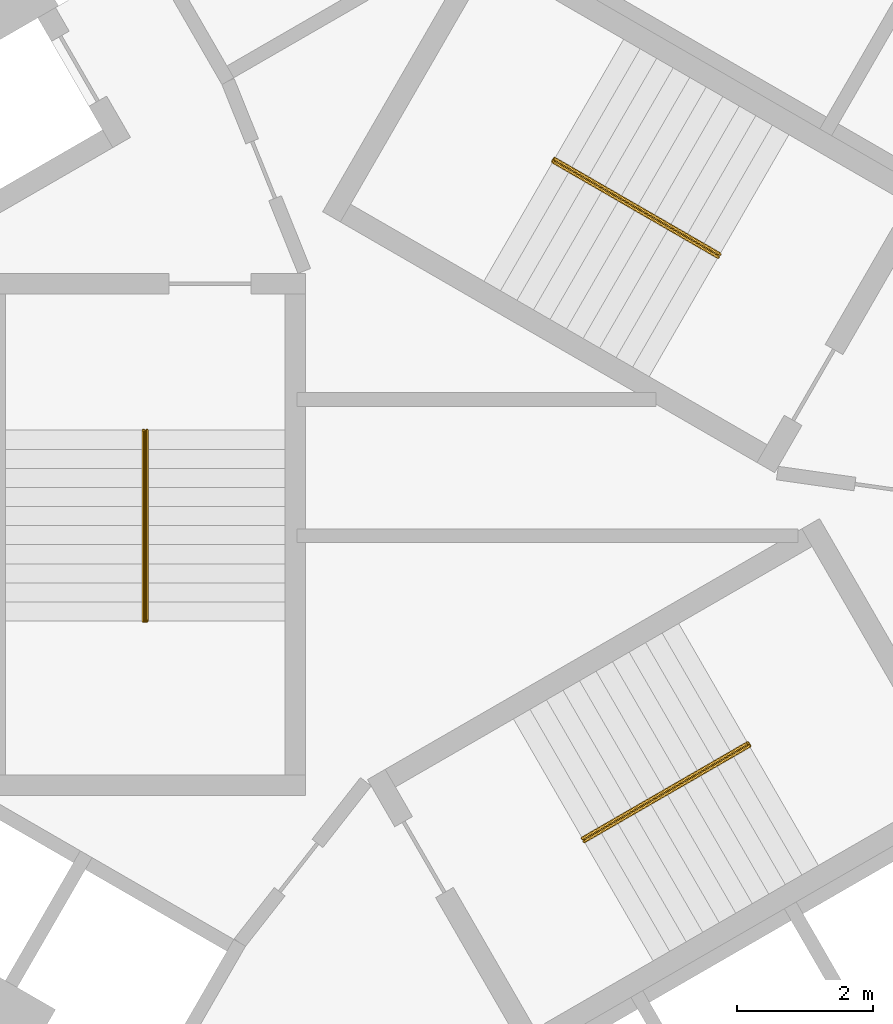
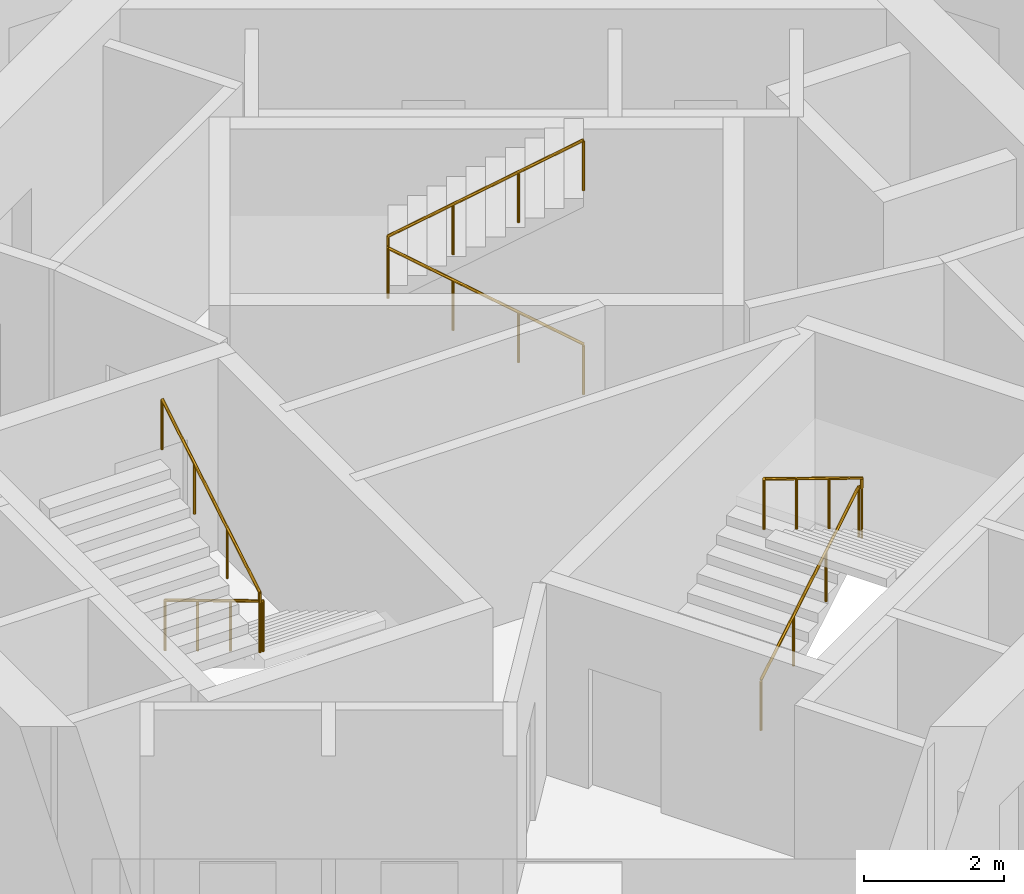
# One storey, part 11 of 11: 3 railings.
"""IFC4 building model written with IfcOpenShell, lengths in metres."""

from ifc_helpers import new_model, si_unit, direction, frame, origin, origin_2d, place, context, subcontext, project, spatial, circle, extrude, material, type_object, element, save


model = new_model("IFC4")

# Units and contexts
model_context = context("Model", 3, precision=1e-05, world=origin(), true_north=direction((0.0, 1.0)))
body_context = subcontext(model_context, "Body", "Model", "MODEL_VIEW")
ifc_project = project(units=[si_unit("LENGTHUNIT", "METRE"), si_unit("AREAUNIT", "SQUARE_METRE"), si_unit("VOLUMEUNIT", "CUBIC_METRE"), si_unit("PLANEANGLEUNIT", "RADIAN"), si_unit("MASSUNIT", "GRAM", prefix="KILO")], contexts=[model_context])

# Site, building, storey
site_placement = place(None, origin())
site = spatial("IfcSite", under=ifc_project, at=site_placement, CompositionType="ELEMENT")
building_placement = place(site_placement, origin())
building = spatial("IfcBuilding", under=site, at=building_placement, Name="Vanh Sen Convention Tower", CompositionType="ELEMENT")
storey_placement = place(building_placement, frame((0.0, 0.0, 296.800048828125)))
storey = spatial("IfcBuildingStorey", under=building, at=storey_placement, Name="L73", CompositionType="ELEMENT", Elevation=296.800048828125)

# Railings
ifc_material = material(Name="Stainless steel handrail", Category="steel")
railing_type = type_object("IfcRailingType", Name="Stair handrail 900", PredefinedType="HANDRAIL", material=ifc_material)
railing_1_placement = place(storey_placement, frame((3.45849609375, 3.690185546875, 0.168212890625)))
element("IfcRailing", 1, at=railing_1_placement, inside=storey, type_object=railing_type, Name="Stair handrail ST1 L73", PredefinedType="HANDRAIL", context=body_context, shape_type="SweptSolid", body=[
    extrude(circle(Radius=0.02392578125, at=origin_2d()), frame((0.0, 0.0, 0.8759765625), z_axis=(-0.74241905619, 0.428617687091, 0.514879426), x_axis=(-0.49998411664, -0.866034573852, 0.0)), (0.0, 0.0, 1.0), 3.26611328125),
    extrude(circle(Radius=0.02392578125, at=origin_2d()), frame((-2.4248046875, 1.39990234375, 2.5576171875), z_axis=(0.497188445666, 0.867642581652, 0.0), x_axis=(-0.867642581652, 0.497188445666, 0.0)), (0.0, 0.0, 1.0), 0.050048828125),
    extrude(circle(Radius=0.02392578125, at=origin_2d()), frame((-2.39990234375, 1.443359375, 2.5576171875), z_axis=(0.0, 0.0, 1.0), x_axis=(1.0, 0.0, 0.0)), (0.0, 0.0, 1.0), 0.168212890625),
    extrude(circle(Radius=0.02392578125, at=origin_2d()), frame((-2.39990234375, 1.443359375, 2.7255859375), z_axis=(0.742366697286, -0.42866220388, 0.514917859203), x_axis=(0.500049511043, 0.865996816683, 0.0)), (0.0, 0.0, 1.0), 3.266357421875),
    extrude(circle(Radius=0.02099609375, at=origin_2d()), origin(), (0.0, 0.0, 1.0), 0.851806640625),
    extrude(circle(Radius=0.02099609375, at=origin_2d()), frame((-0.808349609375, 0.466552734375, 0.560546875)), (0.0, 0.0, 1.0), 0.851806640625),
    extrude(circle(Radius=0.02099609375, at=origin_2d()), frame((-1.616455078125, 0.933349609375, 1.12109375)), (0.0, 0.0, 1.0), 0.851806640625),
    extrude(circle(Radius=0.02099609375, at=origin_2d()), frame((-2.4248046875, 1.39990234375, 1.681640625)), (0.0, 0.0, 1.0), 0.851806640625),
    extrude(circle(Radius=0.02099609375, at=origin_2d()), frame((-2.39990234375, 1.443359375, 1.681640625)), (0.0, 0.0, 1.0), 0.851806640625),
    extrude(circle(Radius=0.02099609375, at=origin_2d()), frame((-2.39990234375, 1.443359375, 1.849853515625)), (0.0, 0.0, 1.0), 0.851806640625),
    extrude(circle(Radius=0.02099609375, at=origin_2d()), frame((-1.591552734375, 0.9765625, 2.410400390625)), (0.0, 0.0, 1.0), 0.851806640625),
    extrude(circle(Radius=0.02099609375, at=origin_2d()), frame((-0.783447265625, 0.510009765625, 2.97119140625)), (0.0, 0.0, 1.0), 0.851806640625),
    extrude(circle(Radius=0.02099609375, at=origin_2d()), frame((0.02490234375, 0.043212890625, 3.53173828125)), (0.0, 0.0, 1.0), 0.851806640625),
])
railing_2_placement = place(storey_placement, frame((-4.925048828125, 1.14990234375, 0.168212890625)))
element("IfcRailing", 2, at=railing_2_placement, inside=storey, type_object=railing_type, Name="Stair handrail ST2 L73", PredefinedType="HANDRAIL", context=body_context, shape_type="SweptSolid", body=[
    extrude(circle(Radius=0.02392578125, at=origin_2d()), frame((0.0, 0.0, 0.8759765625), z_axis=(0.0, -0.857255387014, 0.514891446264), x_axis=(1.0, 0.0, 0.0)), (0.0, 0.0, 1.0), 3.26611328125),
    extrude(circle(Radius=0.02392578125, at=origin_2d()), frame((0.0, -2.7998046875, 2.5576171875), z_axis=(-1.0, 0.0, 0.0), x_axis=(0.0, -1.0, 0.0)), (0.0, 0.0, 1.0), 0.050048828125),
    extrude(circle(Radius=0.02392578125, at=origin_2d()), frame((-0.050048828125, -2.7998046875, 2.5576171875), z_axis=(0.0, 0.0, 1.0), x_axis=(1.0, 0.0, 0.0)), (0.0, 0.0, 1.0), 0.168212890625),
    extrude(circle(Radius=0.02392578125, at=origin_2d()), frame((-0.050048828125, -2.7998046875, 2.7255859375), z_axis=(0.0, 0.857222391501, 0.514946377315), x_axis=(-1.0, 0.0, 0.0)), (0.0, 0.0, 1.0), 3.26611328125),
    extrude(circle(Radius=0.02099609375, at=origin_2d()), origin(), (0.0, 0.0, 1.0), 0.851806640625),
    extrude(circle(Radius=0.02099609375, at=origin_2d()), frame((0.0, -0.933349609375, 0.560546875)), (0.0, 0.0, 1.0), 0.851806640625),
    extrude(circle(Radius=0.02099609375, at=origin_2d()), frame((0.0, -1.866455078125, 1.12109375)), (0.0, 0.0, 1.0), 0.851806640625),
    extrude(circle(Radius=0.02099609375, at=origin_2d()), frame((0.0, -2.7998046875, 1.681640625)), (0.0, 0.0, 1.0), 0.851806640625),
    extrude(circle(Radius=0.02099609375, at=origin_2d()), frame((-0.050048828125, -2.7998046875, 1.681640625)), (0.0, 0.0, 1.0), 0.851806640625),
    extrude(circle(Radius=0.02099609375, at=origin_2d()), frame((-0.050048828125, -2.7998046875, 1.849853515625)), (0.0, 0.0, 1.0), 0.851806640625),
    extrude(circle(Radius=0.02099609375, at=origin_2d()), frame((-0.050048828125, -1.866455078125, 2.410400390625)), (0.0, 0.0, 1.0), 0.851806640625),
    extrude(circle(Radius=0.02099609375, at=origin_2d()), frame((-0.050048828125, -0.933349609375, 2.97119140625)), (0.0, 0.0, 1.0), 0.851806640625),
    extrude(circle(Radius=0.02099609375, at=origin_2d()), frame((-0.050048828125, 0.0, 3.53173828125)), (0.0, 0.0, 1.0), 0.851806640625),
])
railing_3_placement = place(storey_placement, frame((1.466552734375, -4.840087890625, 0.168212890625)))
element("IfcRailing", 3, at=railing_3_placement, inside=storey, type_object=railing_type, Name="Stair handrail ST3 L73", PredefinedType="HANDRAIL", context=body_context, shape_type="SweptSolid", body=[
    extrude(circle(Radius=0.02392578125, at=origin_2d()), frame((0.0, 0.0, 0.8759765625), z_axis=(0.74241905619, 0.428617687091, 0.514879426), x_axis=(-0.49998411664, 0.866034573852, 0.0)), (0.0, 0.0, 1.0), 3.26611328125),
    extrude(circle(Radius=0.02392578125, at=origin_2d()), frame((2.4248046875, 1.39990234375, 2.5576171875), z_axis=(0.502959906984, -0.86430974307, 0.0), x_axis=(0.86430974307, 0.502959906984, 0.0)), (0.0, 0.0, 1.0), 0.050048828125),
    extrude(circle(Radius=0.02392578125, at=origin_2d()), frame((2.449951171875, 1.356689453125, 2.5576171875), z_axis=(0.0, 0.0, 1.0), x_axis=(1.0, 0.0, 0.0)), (0.0, 0.0, 1.0), 0.168212890625),
    extrude(circle(Radius=0.02392578125, at=origin_2d()), frame((2.449951171875, 1.356689453125, 2.7255859375), z_axis=(-0.742366697286, -0.42866220388, 0.514917859203), x_axis=(0.500049511043, -0.865996816683, 0.0)), (0.0, 0.0, 1.0), 3.266357421875),
    extrude(circle(Radius=0.02099609375, at=origin_2d()), origin(), (0.0, 0.0, 1.0), 0.851806640625),
    extrude(circle(Radius=0.02099609375, at=origin_2d()), frame((0.808349609375, 0.466552734375, 0.560546875)), (0.0, 0.0, 1.0), 0.851806640625),
    extrude(circle(Radius=0.02099609375, at=origin_2d()), frame((1.616455078125, 0.933349609375, 1.12109375)), (0.0, 0.0, 1.0), 0.851806640625),
    extrude(circle(Radius=0.02099609375, at=origin_2d()), frame((2.4248046875, 1.39990234375, 1.681640625)), (0.0, 0.0, 1.0), 0.851806640625),
    extrude(circle(Radius=0.02099609375, at=origin_2d()), frame((2.449951171875, 1.356689453125, 1.681640625)), (0.0, 0.0, 1.0), 0.851806640625),
    extrude(circle(Radius=0.02099609375, at=origin_2d()), frame((2.449951171875, 1.356689453125, 1.849853515625)), (0.0, 0.0, 1.0), 0.851806640625),
    extrude(circle(Radius=0.02099609375, at=origin_2d()), frame((1.6416015625, 0.889892578125, 2.410400390625)), (0.0, 0.0, 1.0), 0.851806640625),
    extrude(circle(Radius=0.02099609375, at=origin_2d()), frame((0.83349609375, 0.42333984375, 2.97119140625)), (0.0, 0.0, 1.0), 0.851806640625),
    extrude(circle(Radius=0.02099609375, at=origin_2d()), frame((0.025146484375, -0.04345703125, 3.53173828125)), (0.0, 0.0, 1.0), 0.851806640625),
])

save(model, "model.ifc")
